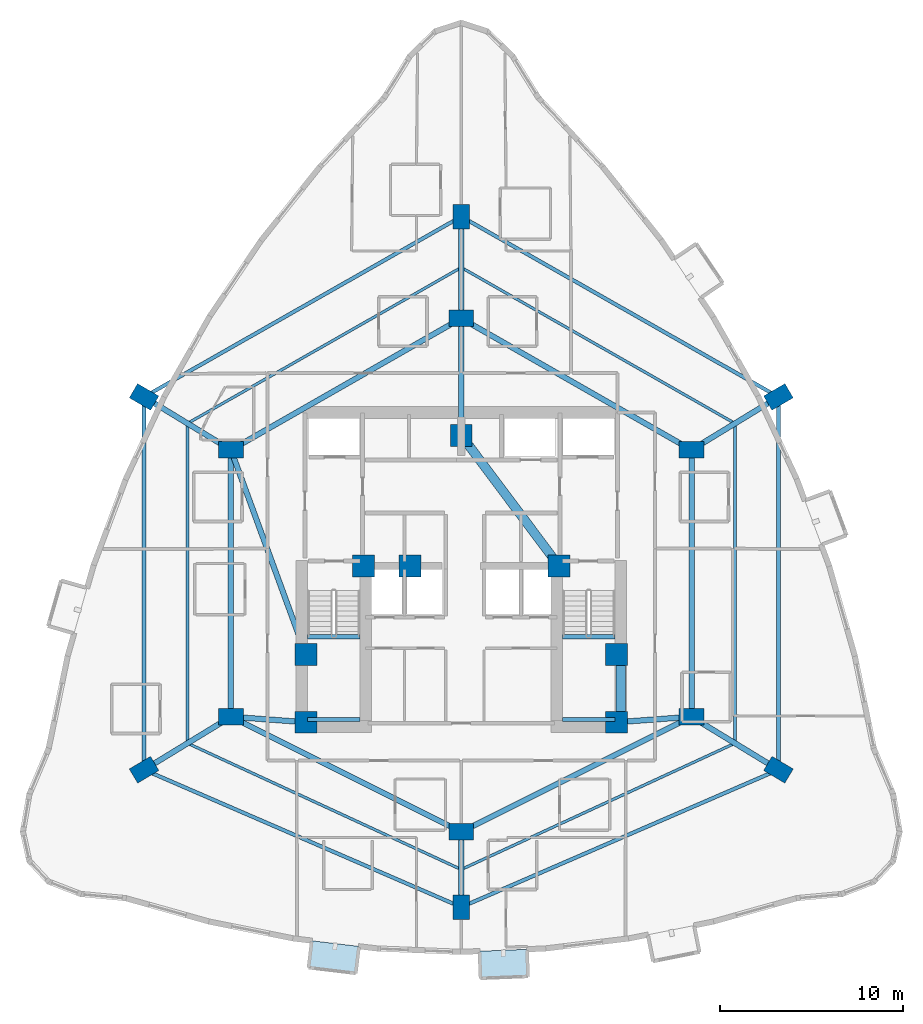
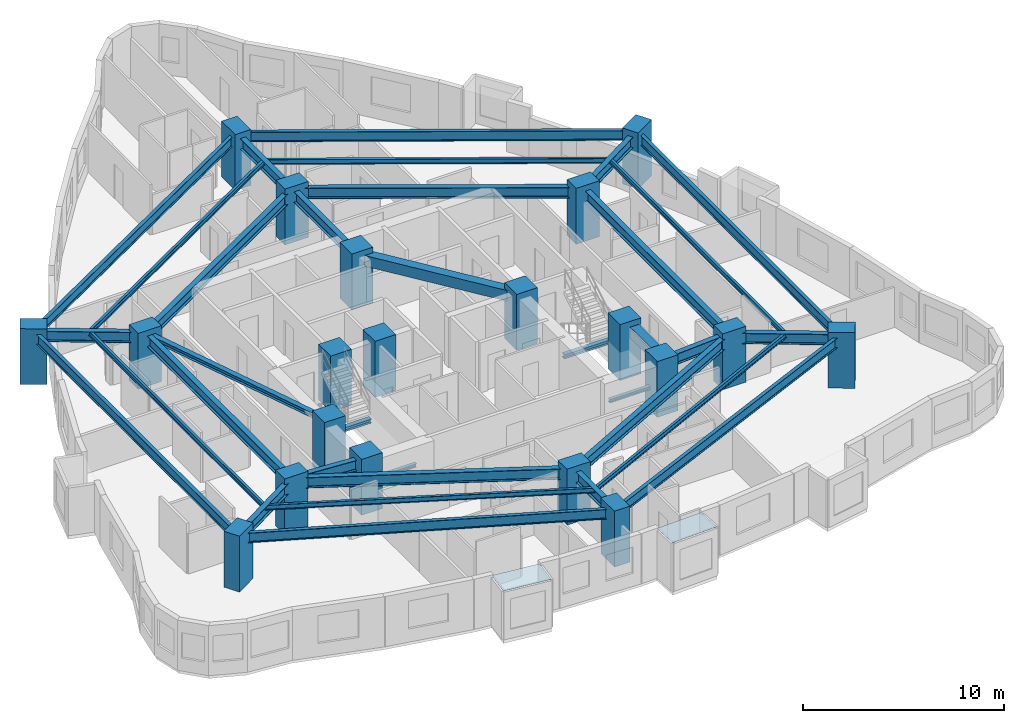
# One storey, part 1 of 13: 34 beams, 20 columns, 2 plates.
"""IFC4 building model written with IfcOpenShell, lengths in metres."""

from ifc_helpers import new_model, si_unit, direction, frame, origin, origin_2d, place, context, subcontext, project, spatial, polyline, rectangle, i_section, outline, extrude, material, layer, layer_set, material_profile, profile_set, type_object, element, save


model = new_model("IFC4")

# Units and contexts
model_context = context("Model", 3, precision=1e-05, world=origin(), true_north=direction((0.0, 1.0)))
body_context = subcontext(model_context, "Body", "Model", "MODEL_VIEW")
ifc_project = project(units=[si_unit("LENGTHUNIT", "METRE"), si_unit("AREAUNIT", "SQUARE_METRE"), si_unit("VOLUMEUNIT", "CUBIC_METRE"), si_unit("PLANEANGLEUNIT", "RADIAN"), si_unit("MASSUNIT", "GRAM", prefix="KILO")], contexts=[model_context])

# Site, building, storey
site_placement = place(None, origin())
site = spatial("IfcSite", under=ifc_project, at=site_placement, CompositionType="ELEMENT")
building_placement = place(site_placement, origin())
building = spatial("IfcBuilding", under=site, at=building_placement, Name="Miruveldt Soraemaru", CompositionType="ELEMENT")
storey_placement = place(building_placement, frame((0.0, 0.0, 87.0)))
storey = spatial("IfcBuildingStorey", under=building, at=storey_placement, Name="L24", CompositionType="ELEMENT", Elevation=87.0)

# Columns
ifc_material_1 = material(Name="Concrete C70/85 (70 MPa)", Category="concrete")
ifc_material_profile_1 = material_profile(ifc_material_1, rectangle(XDim=1.199951171875, YDim=1.199951171875, at=origin_2d()), Name="Concrete C70/85 (70 MPa)", Category="concrete")
ifc_profile_set_1 = profile_set([ifc_material_profile_1], Name="Concrete C70/85 (70 MPa)")
column_type_1 = type_object("IfcColumnType", Name="COL-CORE-1200", PredefinedType="COLUMN", material=ifc_profile_set_1)
for number, where, z_axis, x_axis, name in (
    (1, (35.5, 35.5, 0.0), (0.0, 0.0, 1.0), (1.0, 0.0, 0.0), "L24 Structural Column CC1"),
    (2, (38.64990234375, 44.050048828125, 0.0), (0.0, 0.0, 1.0), (1.0, 0.0, 0.0), "L24 Structural Column CC2"),
    (3, (52.5, 35.5, 0.0), (0.0, 0.0, 1.0), (1.0, 0.0, 0.0), "L24 Structural Column CC3"),
    (4, (52.5, 39.199951171875, 0.0), (0.0, 0.0, 1.0), (1.0, 0.0, 0.0), "L24 Structural Column CC4"),
    (5, (49.35009765625, 44.050048828125, 0.0), (0.0, 0.0, 1.0), (1.0, 0.0, 0.0), "L24 Structural Column CC5"),
    (6, (44.0, 51.199951171875, 0.0), (0.0, 0.0, 1.0), (1.0, 0.0, 0.0), "L24 Structural Column CC6"),
    (7, (35.5, 39.199951171875, 0.0), (0.0, 0.0, 1.0), (1.0, 0.0, 0.0), "L24 Structural Column CC7"),
    (8, (41.199951171875, 44.050048828125, 0.0), (0.0, 0.0, 1.0), (1.0, 0.0, 0.0), "L24 Structural Column CC8"),
):
    element("IfcColumn", number, at=place(storey_placement, frame(where, z_axis=z_axis, x_axis=x_axis)), inside=storey, type_object=column_type_1, Name=name, PredefinedType="COLUMN", context=body_context, shape_type="SweptSolid", body=[
        extrude(rectangle(XDim=1.199951171875, YDim=1.199951171875, at=origin_2d()), origin(), (0.0, 0.0, 1.0), 3.39990234375),
    ])
ifc_material_profile_2 = material_profile(ifc_material_1, rectangle(XDim=1.35009765625, YDim=0.89990234375, at=origin_2d()), Name="Concrete C70/85 (70 MPa)", Category="concrete")
ifc_profile_set_2 = profile_set([ifc_material_profile_2], Name="Concrete C70/85 (70 MPa)")
column_type_2 = type_object("IfcColumnType", Name="COL-TW-Z1B", PredefinedType="COLUMN", material=ifc_profile_set_2)
for number, where, z_axis, x_axis, name in (
    (9, (44.0, 57.60009765625, 0.0), (0.0, 0.0, 1.0), (1.0, 0.0, 0.0), "L24 Structural Column IR01"),
    (10, (56.60009765625, 50.39990234375, 0.0), (0.0, 0.0, 1.0), (1.0, 0.0, 0.0), "L24 Structural Column IR02"),
    (11, (56.60009765625, 35.800048828125, 0.0), (0.0, 0.0, 1.0), (1.0, 0.0, 0.0), "L24 Structural Column IR03"),
    (12, (44.0, 29.5, 0.0), (0.0, 0.0, 1.0), (1.0, 0.0, 0.0), "L24 Structural Column IR04"),
    (13, (31.39990234375, 35.800048828125, 0.0), (0.0, 0.0, 1.0), (1.0, 0.0, 0.0), "L24 Structural Column IR05"),
    (14, (31.39990234375, 50.39990234375, 0.0), (0.0, 0.0, 1.0), (1.0, 0.0, 0.0), "L24 Structural Column IR06"),
    (15, (44.0, 63.16796875, 0.0), (0.0, 0.0, 1.0), (0.0, 1.0, 0.0), "L24 Structural Column Z1P01"),
    (16, (61.35595703125, 53.300048828125, 0.0), (0.0, 0.0, 1.0), (0.864274801954, 0.50301994663, 0.0), "L24 Structural Column Z1P02"),
    (17, (61.35595703125, 32.89990234375, 0.0), (0.0, 0.0, 1.0), (-0.859852271597, 0.510542917912, 0.0), "L24 Structural Column Z1P03"),
    (18, (44.0, 25.382080078125, 0.0), (0.0, 0.0, 1.0), (0.0, 1.0, 0.0), "L24 Structural Column Z1P04"),
    (19, (26.64404296875, 32.89990234375, 0.0), (0.0, 0.0, 1.0), (0.859852271597, 0.510542917912, 0.0), "L24 Structural Column Z1P05"),
    (20, (26.64404296875, 53.300048828125, 0.0), (0.0, 0.0, 1.0), (-0.864274801954, 0.50301994663, 0.0), "L24 Structural Column Z1P06"),
):
    element("IfcColumn", number, at=place(storey_placement, frame(where, z_axis=z_axis, x_axis=x_axis)), inside=storey, type_object=column_type_2, Name=name, PredefinedType="COLUMN", context=body_context, shape_type="SweptSolid", body=[
        extrude(rectangle(XDim=1.35009765625, YDim=0.89990234375, at=origin_2d()), origin(), (0.0, 0.0, 1.0), 3.39990234375),
    ])

# Beams
ifc_material_2 = material(Name="Steel SM355 (355 MPa)", Category="steel")
ifc_material_profile_3 = material_profile(ifc_material_2, i_section(OverallWidth=0.300048828125, OverallDepth=0.300048828125, WebThickness=0.010009765625, FlangeThickness=0.014892578125, FilletRadius=0.01806640625, at=origin_2d()), Name="Steel SM355 (355 MPa)", Category="steel")
ifc_profile_set_3 = profile_set([ifc_material_profile_3], Name="Steel SM355 (355 MPa)")
beam_type_1 = type_object("IfcBeamType", Name="BM-LNT-H300", PredefinedType="LINTEL", material=ifc_profile_set_3)
beam_1_placement = place(storey_placement, frame((31.39990234375, 50.39990234375, 2.89990234375), z_axis=(0.343770424598, -0.939053723262, 0.0), x_axis=(0.939053723262, 0.343770424598, 0.0)))
element("IfcBeam", 21, at=beam_1_placement, inside=storey, type_object=beam_type_1, Name="L24 West Lobby Lintel", PredefinedType="LINTEL", context=body_context, shape_type="SweptSolid", body=[
    extrude(i_section(OverallWidth=0.300048828125, OverallDepth=0.300048828125, WebThickness=0.010009765625, FlangeThickness=0.014892578125, FilletRadius=0.01806640625, at=origin_2d()), origin(), (0.0, 0.0, 1.0), 11.9267578125),
])
ifc_material_3 = material(Name="Concrete C50/60 (50 MPa)", Category="concrete")
ifc_material_profile_4 = material_profile(ifc_material_3, rectangle(XDim=0.5, YDim=0.64990234375, at=origin_2d()), Name="Concrete C50/60 (50 MPa)", Category="concrete")
ifc_profile_set_4 = profile_set([ifc_material_profile_4], Name="Concrete C50/60 (50 MPa)")
beam_type_2 = type_object("IfcBeamType", Name="BM-RC-500x650", PredefinedType="BEAM", material=ifc_profile_set_4)
beam_2_placement = place(storey_placement, frame((52.72998046875, 35.5, 2.72509765625), z_axis=(0.0, 1.0, 0.0), x_axis=(-1.0, 0.0, 0.0)))
element("IfcBeam", 22, at=beam_2_placement, inside=storey, type_object=beam_type_2, Name="L24 Core Tie Beam 3", PredefinedType="BEAM", context=body_context, shape_type="SweptSolid", body=[
    extrude(rectangle(XDim=0.5, YDim=0.64990234375, at=origin_2d()), origin(), (0.0, 0.0, 1.0), 3.699951171875),
])
beam_3_placement = place(storey_placement, frame((49.35009765625, 44.050048828125, 2.72509765625), z_axis=(-0.599116023999, 0.800662219533, 0.0), x_axis=(-0.800662219533, -0.599116023999, 0.0)))
element("IfcBeam", 23, at=beam_3_placement, inside=storey, type_object=beam_type_2, Name="L24 Core Tie Beam 5", PredefinedType="BEAM", context=body_context, shape_type="SweptSolid", body=[
    extrude(rectangle(XDim=0.5, YDim=0.64990234375, at=origin_2d()), origin(), (0.0, 0.0, 1.0), 8.929931640625),
])
ifc_material_profile_5 = material_profile(ifc_material_2, i_section(OverallWidth=0.14990234375, OverallDepth=0.300048828125, WebThickness=0.006591796875, FlangeThickness=0.009033203125, FilletRadius=0.012939453125, at=origin_2d()), Name="Steel SM355 (355 MPa)", Category="steel")
ifc_profile_set_5 = profile_set([ifc_material_profile_5], Name="Steel SM355 (355 MPa)")
beam_type_3 = type_object("IfcBeamType", Name="BM-ST-H300", PredefinedType="JOIST", material=ifc_profile_set_5)
beam_4_placement = place(storey_placement, frame((44.0, 60.384033203125, 2.89990234375), z_axis=(0.868865604585, -0.495048039254, 0.0), x_axis=(0.495048039254, 0.868865604585, 0.0)))
element("IfcBeam", 24, at=beam_4_placement, inside=storey, type_object=beam_type_3, Name="L24 Outer Bay Floor Joist 1", PredefinedType="JOIST", context=body_context, shape_type="SweptSolid", body=[
    extrude(i_section(OverallWidth=0.14990234375, OverallDepth=0.300048828125, WebThickness=0.006591796875, FlangeThickness=0.009033203125, FilletRadius=0.012939453125, at=origin_2d()), origin(), (0.0, 0.0, 1.0), 17.238525390625),
])
beam_5_placement = place(storey_placement, frame((58.97802734375, 51.85009765625, 2.89990234375), z_axis=(0.0, -1.0, 0.0), x_axis=(1.0, 0.0, 0.0)))
element("IfcBeam", 25, at=beam_5_placement, inside=storey, type_object=beam_type_3, Name="L24 Outer Bay Floor Joist 2", PredefinedType="JOIST", context=body_context, shape_type="SweptSolid", body=[
    extrude(i_section(OverallWidth=0.14990234375, OverallDepth=0.300048828125, WebThickness=0.006591796875, FlangeThickness=0.009033203125, FilletRadius=0.012939453125, at=origin_2d()), origin(), (0.0, 0.0, 1.0), 17.5),
])
for number, where, z_axis, x_axis, name in (
    (26, (58.97802734375, 34.35009765625, 2.89990234375), (-0.908046005539, -0.418870447543, 0.0), (0.418870447543, -0.908046005539, 0.0), "L24 Outer Bay Floor Joist 3"),
    (27, (44.0, 27.44091796875, 2.89990234375), (-0.908046005539, 0.418870447543, 0.0), (-0.418870447543, -0.908046005539, 0.0), "L24 Outer Bay Floor Joist 4"),
):
    element("IfcBeam", number, at=place(storey_placement, frame(where, z_axis=z_axis, x_axis=x_axis)), inside=storey, type_object=beam_type_3, Name=name, PredefinedType="JOIST", context=body_context, shape_type="SweptSolid", body=[
        extrude(i_section(OverallWidth=0.14990234375, OverallDepth=0.300048828125, WebThickness=0.006591796875, FlangeThickness=0.009033203125, FilletRadius=0.012939453125, at=origin_2d()), origin(), (0.0, 0.0, 1.0), 16.494873046875),
    ])
beam_6_placement = place(storey_placement, frame((29.02197265625, 34.35009765625, 2.89990234375), z_axis=(0.0, 1.0, 0.0), x_axis=(-1.0, 0.0, 0.0)))
element("IfcBeam", 28, at=beam_6_placement, inside=storey, type_object=beam_type_3, Name="L24 Outer Bay Floor Joist 5", PredefinedType="JOIST", context=body_context, shape_type="SweptSolid", body=[
    extrude(i_section(OverallWidth=0.14990234375, OverallDepth=0.300048828125, WebThickness=0.006591796875, FlangeThickness=0.009033203125, FilletRadius=0.012939453125, at=origin_2d()), origin(), (0.0, 0.0, 1.0), 17.5),
])
beam_7_placement = place(storey_placement, frame((29.02197265625, 51.85009765625, 2.89990234375), z_axis=(0.868865604585, 0.495048039254, 0.0), x_axis=(-0.495048039254, 0.868865604585, 0.0)))
element("IfcBeam", 29, at=beam_7_placement, inside=storey, type_object=beam_type_3, Name="L24 Outer Bay Floor Joist 6", PredefinedType="JOIST", context=body_context, shape_type="SweptSolid", body=[
    extrude(i_section(OverallWidth=0.14990234375, OverallDepth=0.300048828125, WebThickness=0.006591796875, FlangeThickness=0.009033203125, FilletRadius=0.012939453125, at=origin_2d()), origin(), (0.0, 0.0, 1.0), 17.238525390625),
])
ifc_material_profile_6 = material_profile(ifc_material_2, i_section(OverallWidth=0.199951171875, OverallDepth=0.60009765625, WebThickness=0.010986328125, FlangeThickness=0.01708984375, FilletRadius=0.02197265625, at=origin_2d()), Name="Steel SM355 (355 MPa)", Category="steel")
ifc_profile_set_6 = profile_set([ifc_material_profile_6], Name="Steel SM355 (355 MPa)")
beam_type_4 = type_object("IfcBeamType", Name="BM-ST-H600", PredefinedType="SPANDREL", material=ifc_profile_set_6)
beam_8_placement = place(storey_placement, frame((44.0, 63.16796875, 2.75), z_axis=(0.869314947608, -0.494258557706, 0.0), x_axis=(0.494258557706, 0.869314947608, 0.0)))
element("IfcBeam", 30, at=beam_8_placement, inside=storey, type_object=beam_type_4, Name="L24 Zone-1 Spandrel Beam 1", PredefinedType="SPANDREL", context=body_context, shape_type="SweptSolid", body=[
    extrude(i_section(OverallWidth=0.199951171875, OverallDepth=0.60009765625, WebThickness=0.010986328125, FlangeThickness=0.01708984375, FilletRadius=0.02197265625, at=origin_2d()), origin(), (0.0, 0.0, 1.0), 19.965087890625),
])
beam_9_placement = place(storey_placement, frame((61.35595703125, 53.300048828125, 2.75), z_axis=(0.0, -1.0, 0.0), x_axis=(1.0, 0.0, 0.0)))
element("IfcBeam", 31, at=beam_9_placement, inside=storey, type_object=beam_type_4, Name="L24 Zone-1 Spandrel Beam 2", PredefinedType="SPANDREL", context=body_context, shape_type="SweptSolid", body=[
    extrude(i_section(OverallWidth=0.199951171875, OverallDepth=0.60009765625, WebThickness=0.010986328125, FlangeThickness=0.01708984375, FilletRadius=0.02197265625, at=origin_2d()), origin(), (0.0, 0.0, 1.0), 20.400146484375),
])
for number, where, z_axis, x_axis, name in (
    (32, (61.35595703125, 32.89990234375, 2.75), (-0.917615263736, -0.397469782195, 0.0), (0.397469782195, -0.917615263736, 0.0), "L24 Zone-1 Spandrel Beam 3"),
    (33, (44.0, 25.382080078125, 2.75), (-0.917615263736, 0.397469782195, 0.0), (-0.397469782195, -0.917615263736, 0.0), "L24 Zone-1 Spandrel Beam 4"),
):
    element("IfcBeam", number, at=place(storey_placement, frame(where, z_axis=z_axis, x_axis=x_axis)), inside=storey, type_object=beam_type_4, Name=name, PredefinedType="SPANDREL", context=body_context, shape_type="SweptSolid", body=[
        extrude(i_section(OverallWidth=0.199951171875, OverallDepth=0.60009765625, WebThickness=0.010986328125, FlangeThickness=0.01708984375, FilletRadius=0.02197265625, at=origin_2d()), origin(), (0.0, 0.0, 1.0), 18.914306640625),
    ])
beam_10_placement = place(storey_placement, frame((26.64404296875, 32.89990234375, 2.75), z_axis=(0.0, 1.0, 0.0), x_axis=(-1.0, 0.0, 0.0)))
element("IfcBeam", 34, at=beam_10_placement, inside=storey, type_object=beam_type_4, Name="L24 Zone-1 Spandrel Beam 5", PredefinedType="SPANDREL", context=body_context, shape_type="SweptSolid", body=[
    extrude(i_section(OverallWidth=0.199951171875, OverallDepth=0.60009765625, WebThickness=0.010986328125, FlangeThickness=0.01708984375, FilletRadius=0.02197265625, at=origin_2d()), origin(), (0.0, 0.0, 1.0), 20.400146484375),
])
beam_11_placement = place(storey_placement, frame((26.64404296875, 53.300048828125, 2.75), z_axis=(0.869314947608, 0.494258557706, 0.0), x_axis=(-0.494258557706, 0.869314947608, 0.0)))
element("IfcBeam", 35, at=beam_11_placement, inside=storey, type_object=beam_type_4, Name="L24 Zone-1 Spandrel Beam 6", PredefinedType="SPANDREL", context=body_context, shape_type="SweptSolid", body=[
    extrude(i_section(OverallWidth=0.199951171875, OverallDepth=0.60009765625, WebThickness=0.010986328125, FlangeThickness=0.01708984375, FilletRadius=0.02197265625, at=origin_2d()), origin(), (0.0, 0.0, 1.0), 19.965087890625),
])
ifc_material_profile_7 = material_profile(ifc_material_2, i_section(OverallWidth=0.300048828125, OverallDepth=0.64990234375, WebThickness=0.012939453125, FlangeThickness=0.02197265625, FilletRadius=0.02587890625, at=origin_2d()), Name="Steel SM355 (355 MPa)", Category="steel")
ifc_profile_set_7 = profile_set([ifc_material_profile_7], Name="Steel SM355 (355 MPa)")
beam_type_5 = type_object("IfcBeamType", Name="BM-ST-H650", PredefinedType="BEAM", material=ifc_profile_set_7)
beam_12_placement = place(storey_placement, frame((44.0, 57.60009765625, 2.72509765625), z_axis=(0.868239001029, -0.496146185203, 0.0), x_axis=(0.496146185203, 0.868239001029, 0.0)))
element("IfcBeam", 36, at=beam_12_placement, inside=storey, type_object=beam_type_5, Name="L24 Inner Ring Girder 1", PredefinedType="BEAM", context=body_context, shape_type="SweptSolid", body=[
    extrude(i_section(OverallWidth=0.300048828125, OverallDepth=0.64990234375, WebThickness=0.012939453125, FlangeThickness=0.02197265625, FilletRadius=0.02587890625, at=origin_2d()), origin(), (0.0, 0.0, 1.0), 14.51220703125),
])
beam_13_placement = place(storey_placement, frame((44.0, 51.199951171875, 2.72509765625), z_axis=(0.0, 1.0, 0.0), x_axis=(-1.0, 0.0, 0.0)))
element("IfcBeam", 37, at=beam_13_placement, inside=storey, type_object=beam_type_5, Name="L24 Core-to-Inner Radial Girder 1", PredefinedType="BEAM", context=body_context, shape_type="SweptSolid", body=[
    extrude(i_section(OverallWidth=0.300048828125, OverallDepth=0.64990234375, WebThickness=0.012939453125, FlangeThickness=0.02197265625, FilletRadius=0.02587890625, at=origin_2d()), origin(), (0.0, 0.0, 1.0), 6.400146484375),
])
beam_14_placement = place(storey_placement, frame((56.60009765625, 50.39990234375, 2.72509765625), z_axis=(0.0, -1.0, 0.0), x_axis=(1.0, 0.0, 0.0)))
element("IfcBeam", 38, at=beam_14_placement, inside=storey, type_object=beam_type_5, Name="L24 Inner Ring Girder 2", PredefinedType="BEAM", context=body_context, shape_type="SweptSolid", body=[
    extrude(i_section(OverallWidth=0.300048828125, OverallDepth=0.64990234375, WebThickness=0.012939453125, FlangeThickness=0.02197265625, FilletRadius=0.02587890625, at=origin_2d()), origin(), (0.0, 0.0, 1.0), 14.599853515625),
])
beam_15_placement = place(storey_placement, frame((56.60009765625, 35.800048828125, 2.72509765625), z_axis=(-0.894427191, -0.4472135955, 0.0), x_axis=(0.4472135955, -0.894427191, 0.0)))
element("IfcBeam", 39, at=beam_15_placement, inside=storey, type_object=beam_type_5, Name="L24 Inner Ring Girder 3", PredefinedType="BEAM", context=body_context, shape_type="SweptSolid", body=[
    extrude(i_section(OverallWidth=0.300048828125, OverallDepth=0.64990234375, WebThickness=0.012939453125, FlangeThickness=0.02197265625, FilletRadius=0.02587890625, at=origin_2d()), origin(), (0.0, 0.0, 1.0), 14.08740234375),
])
beam_16_placement = place(storey_placement, frame((52.5, 35.5, 2.72509765625), z_axis=(0.997332985605, 0.072985723431, 0.0), x_axis=(-0.072985723431, 0.997332985605, 0.0)))
element("IfcBeam", 40, at=beam_16_placement, inside=storey, type_object=beam_type_5, Name="L24 Core-to-Inner Radial Girder 3", PredefinedType="BEAM", context=body_context, shape_type="SweptSolid", body=[
    extrude(i_section(OverallWidth=0.300048828125, OverallDepth=0.64990234375, WebThickness=0.012939453125, FlangeThickness=0.02197265625, FilletRadius=0.02587890625, at=origin_2d()), origin(), (0.0, 0.0, 1.0), 4.111083984375),
])
beam_17_placement = place(storey_placement, frame((44.0, 29.5, 2.72509765625), z_axis=(-0.894427191, 0.4472135955, 0.0), x_axis=(-0.4472135955, -0.894427191, 0.0)))
element("IfcBeam", 41, at=beam_17_placement, inside=storey, type_object=beam_type_5, Name="L24 Inner Ring Girder 4", PredefinedType="BEAM", context=body_context, shape_type="SweptSolid", body=[
    extrude(i_section(OverallWidth=0.300048828125, OverallDepth=0.64990234375, WebThickness=0.012939453125, FlangeThickness=0.02197265625, FilletRadius=0.02587890625, at=origin_2d()), origin(), (0.0, 0.0, 1.0), 14.08740234375),
])
beam_18_placement = place(storey_placement, frame((31.39990234375, 35.800048828125, 2.72509765625), z_axis=(0.0, 1.0, 0.0), x_axis=(-1.0, 0.0, 0.0)))
element("IfcBeam", 42, at=beam_18_placement, inside=storey, type_object=beam_type_5, Name="L24 Inner Ring Girder 5", PredefinedType="BEAM", context=body_context, shape_type="SweptSolid", body=[
    extrude(i_section(OverallWidth=0.300048828125, OverallDepth=0.64990234375, WebThickness=0.012939453125, FlangeThickness=0.02197265625, FilletRadius=0.02587890625, at=origin_2d()), origin(), (0.0, 0.0, 1.0), 14.599853515625),
])
beam_19_placement = place(storey_placement, frame((35.5, 35.5, 2.72509765625), z_axis=(-0.997332985605, 0.072985723431, 0.0), x_axis=(-0.072985723431, -0.997332985605, 0.0)))
element("IfcBeam", 43, at=beam_19_placement, inside=storey, type_object=beam_type_5, Name="L24 Core-to-Inner Radial Girder 5", PredefinedType="BEAM", context=body_context, shape_type="SweptSolid", body=[
    extrude(i_section(OverallWidth=0.300048828125, OverallDepth=0.64990234375, WebThickness=0.012939453125, FlangeThickness=0.02197265625, FilletRadius=0.02587890625, at=origin_2d()), origin(), (0.0, 0.0, 1.0), 4.111083984375),
])
beam_20_placement = place(storey_placement, frame((31.39990234375, 50.39990234375, 2.72509765625), z_axis=(0.868239001029, 0.496146185203, 0.0), x_axis=(-0.496146185203, 0.868239001029, 0.0)))
element("IfcBeam", 44, at=beam_20_placement, inside=storey, type_object=beam_type_5, Name="L24 Inner Ring Girder 6", PredefinedType="BEAM", context=body_context, shape_type="SweptSolid", body=[
    extrude(i_section(OverallWidth=0.300048828125, OverallDepth=0.64990234375, WebThickness=0.012939453125, FlangeThickness=0.02197265625, FilletRadius=0.02587890625, at=origin_2d()), origin(), (0.0, 0.0, 1.0), 14.51220703125),
])
beam_21_placement = place(storey_placement, frame((44.0, 57.60009765625, 2.72509765625), z_axis=(0.0, 1.0, 0.0), x_axis=(-1.0, 0.0, 0.0)))
element("IfcBeam", 45, at=beam_21_placement, inside=storey, type_object=beam_type_5, Name="L24 Zone-1 Radial Girder 1", PredefinedType="BEAM", context=body_context, shape_type="SweptSolid", body=[
    extrude(i_section(OverallWidth=0.300048828125, OverallDepth=0.64990234375, WebThickness=0.012939453125, FlangeThickness=0.02197265625, FilletRadius=0.02587890625, at=origin_2d()), origin(), (0.0, 0.0, 1.0), 5.56787109375),
])
for number, where, z_axis, x_axis, name in (
    (46, (56.60009765625, 50.39990234375, 2.72509765625), (0.853777644156, 0.520637814935, 0.0), (-0.520637814935, 0.853777644156, 0.0), "L24 Zone-1 Radial Girder 2"),
    (47, (56.60009765625, 35.800048828125, 2.72509765625), (0.853777644156, -0.520637814935, 0.0), (0.520637814935, 0.853777644156, 0.0), "L24 Zone-1 Radial Girder 3"),
):
    element("IfcBeam", number, at=place(storey_placement, frame(where, z_axis=z_axis, x_axis=x_axis)), inside=storey, type_object=beam_type_5, Name=name, PredefinedType="BEAM", context=body_context, shape_type="SweptSolid", body=[
        extrude(i_section(OverallWidth=0.300048828125, OverallDepth=0.64990234375, WebThickness=0.012939453125, FlangeThickness=0.02197265625, FilletRadius=0.02587890625, at=origin_2d()), origin(), (0.0, 0.0, 1.0), 5.5703125),
    ])
beam_22_placement = place(storey_placement, frame((44.0, 29.5, 2.72509765625), z_axis=(0.0, -1.0, 0.0), x_axis=(1.0, 0.0, 0.0)))
element("IfcBeam", 48, at=beam_22_placement, inside=storey, type_object=beam_type_5, Name="L24 Zone-1 Radial Girder 4", PredefinedType="BEAM", context=body_context, shape_type="SweptSolid", body=[
    extrude(i_section(OverallWidth=0.300048828125, OverallDepth=0.64990234375, WebThickness=0.012939453125, FlangeThickness=0.02197265625, FilletRadius=0.02587890625, at=origin_2d()), origin(), (0.0, 0.0, 1.0), 4.117919921875),
])
for number, where, z_axis, x_axis, name in (
    (49, (31.39990234375, 35.800048828125, 2.72509765625), (-0.853777644156, -0.520637814935, 0.0), (0.520637814935, -0.853777644156, 0.0), "L24 Zone-1 Radial Girder 5"),
    (50, (31.39990234375, 50.39990234375, 2.72509765625), (-0.853777644156, 0.520637814935, 0.0), (-0.520637814935, -0.853777644156, 0.0), "L24 Zone-1 Radial Girder 6"),
):
    element("IfcBeam", number, at=place(storey_placement, frame(where, z_axis=z_axis, x_axis=x_axis)), inside=storey, type_object=beam_type_5, Name=name, PredefinedType="BEAM", context=body_context, shape_type="SweptSolid", body=[
        extrude(i_section(OverallWidth=0.300048828125, OverallDepth=0.64990234375, WebThickness=0.012939453125, FlangeThickness=0.02197265625, FilletRadius=0.02587890625, at=origin_2d()), origin(), (0.0, 0.0, 1.0), 5.5703125),
    ])
ifc_material_profile_8 = material_profile(ifc_material_2, i_section(OverallWidth=0.199951171875, OverallDepth=0.199951171875, WebThickness=0.008056640625, FlangeThickness=0.011962890625, FilletRadius=0.012939453125, at=origin_2d()), Name="Steel SM355 (355 MPa)", Category="steel")
ifc_profile_set_8 = profile_set([ifc_material_profile_8], Name="Steel SM355 (355 MPa)")
beam_type_6 = type_object("IfcBeamType", Name="BM-ST-LND200", PredefinedType="BEAM", material=ifc_profile_set_8)
for number, where, z_axis, x_axis, name in (
    (51, (35.60009765625, 35.64990234375, 1.39990234375), (1.0, 0.0, 0.0), (0.0, 1.0, 0.0), "L24 ST1 Landing End Beam 1B"),
    (52, (49.550048828125, 35.64990234375, 1.39990234375), (1.0, 0.0, 0.0), (0.0, 1.0, 0.0), "L24 ST2 Landing End Beam 1B"),
):
    element("IfcBeam", number, at=place(storey_placement, frame(where, z_axis=z_axis, x_axis=x_axis)), inside=storey, type_object=beam_type_6, Name=name, PredefinedType="BEAM", context=body_context, shape_type="SweptSolid", body=[
        extrude(i_section(OverallWidth=0.199951171875, OverallDepth=0.199951171875, WebThickness=0.008056640625, FlangeThickness=0.011962890625, FilletRadius=0.012939453125, at=origin_2d()), origin(), (0.0, 0.0, 1.0), 2.849853515625),
    ])
ifc_material_profile_9 = material_profile(ifc_material_2, i_section(OverallWidth=0.25, OverallDepth=0.25, WebThickness=0.009033203125, FlangeThickness=0.013916015625, FilletRadius=0.01611328125, at=origin_2d()), Name="Steel SM355 (355 MPa)", Category="steel")
ifc_profile_set_9 = profile_set([ifc_material_profile_9], Name="Steel SM355 (355 MPa)")
beam_type_7 = type_object("IfcBeamType", Name="BM-ST-LND250", PredefinedType="BEAM", material=ifc_profile_set_9)
for number, where, z_axis, x_axis, name in (
    (53, (35.60009765625, 40.179931640625, 1.375), (1.0, 0.0, 0.0), (0.0, 1.0, 0.0), "L24 ST1 Landing Support Beam 1A"),
    (54, (49.550048828125, 40.179931640625, 1.375), (1.0, 0.0, 0.0), (0.0, 1.0, 0.0), "L24 ST2 Landing Support Beam 1A"),
):
    element("IfcBeam", number, at=place(storey_placement, frame(where, z_axis=z_axis, x_axis=x_axis)), inside=storey, type_object=beam_type_7, Name=name, PredefinedType="BEAM", context=body_context, shape_type="SweptSolid", body=[
        extrude(i_section(OverallWidth=0.25, OverallDepth=0.25, WebThickness=0.009033203125, FlangeThickness=0.013916015625, FilletRadius=0.01611328125, at=origin_2d()), origin(), (0.0, 0.0, 1.0), 2.849853515625),
    ])

# Plates
ifc_material_4 = material(Name="Standing-seam titanium-zinc sheet", Category="aluminium")
ifc_layer = layer(ifc_material_4, 0.011962890625, Name="Standing-seam titanium-zinc sheet", Category="aluminium")
ifc_layer_set = layer_set([ifc_layer], Name="Standing-seam titanium-zinc sheet")
plate_type = type_object("IfcPlateType", Name="PLT-ZINC-12", PredefinedType="SHEET", material=ifc_layer_set)
plate_1_placement = place(storey_placement, frame((0.0, 0.0, 2.89990234375)))
element("IfcPlate", 55, at=plate_1_placement, inside=storey, type_object=plate_type, Name="L24 Bay Window Zinc Hood Sheet 2", PredefinedType="SHEET", context=body_context, shape_type="SweptSolid", body=[
    extrude(outline(polyline([(35.822021484375, 23.543212890625), (38.4033203125, 23.2333984375), (38.22705078125, 21.763916015625), (35.645751953125, 22.073486328125), (35.822021484375, 23.543212890625)])), origin(), (0.0, 0.0, 1.0), 0.01220703125),
])
plate_2_placement = place(storey_placement, frame((0.0, 0.0, 2.89990234375)))
element("IfcPlate", 56, at=plate_2_placement, inside=storey, type_object=plate_type, Name="L24 Bay Window Zinc Hood Sheet 3", PredefinedType="SHEET", context=body_context, shape_type="SweptSolid", body=[
    extrude(outline(polyline([(44.996826171875, 22.968994140625), (47.5947265625, 23.07275390625), (47.65380859375, 21.593994140625), (45.055908203125, 21.489990234375), (44.996826171875, 22.968994140625)])), origin(), (0.0, 0.0, 1.0), 0.01220703125),
])

save(model, "model.ifc")
